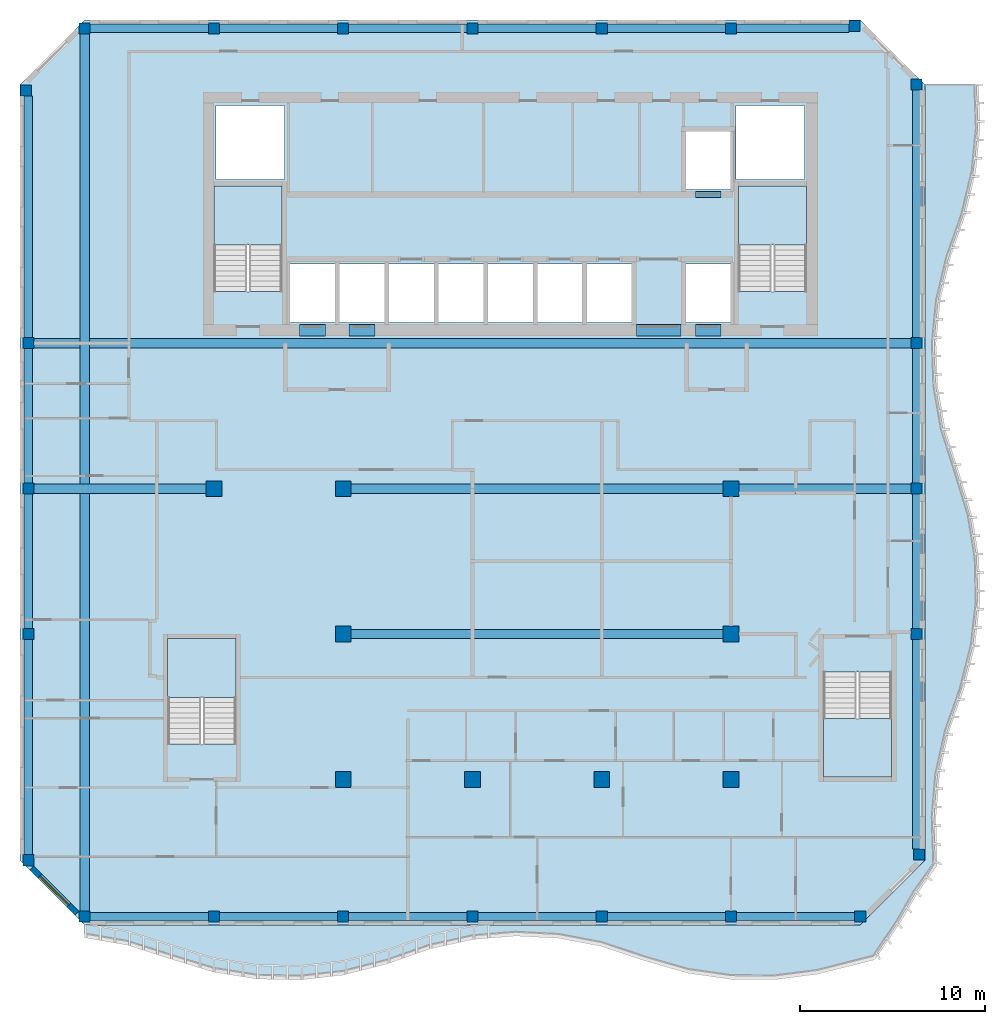
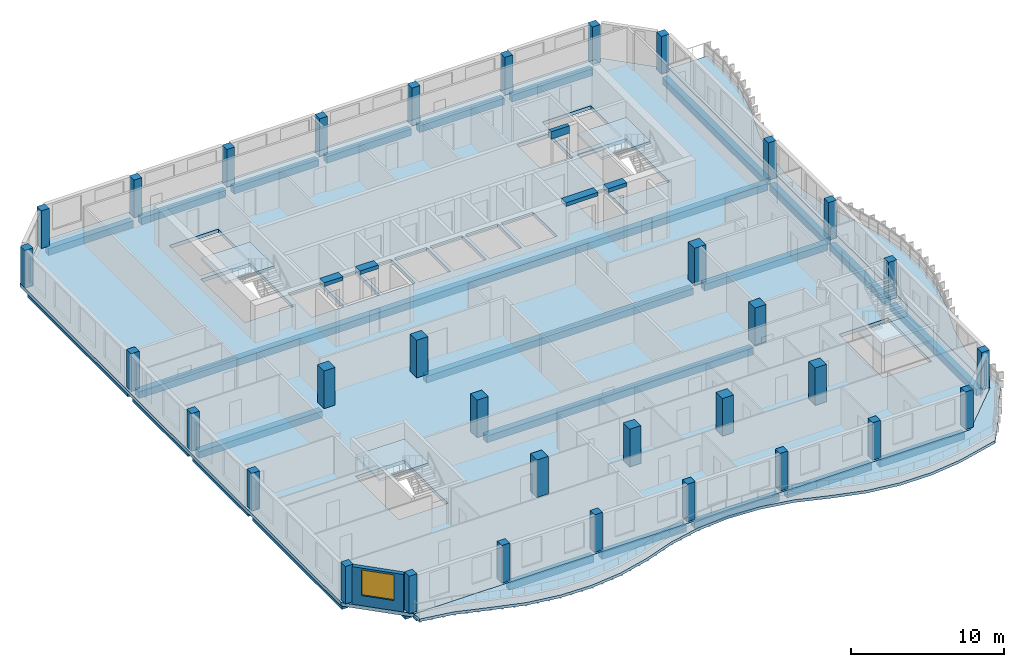
# One storey, part 1 of 14: 33 columns, 31 beams, 6 slabs, 1 wall, 1 window, 1 opening, 4 elements without a shape of their own.
"""IFC4 building model written with IfcOpenShell, lengths in metres."""

from ifc_helpers import new_model, si_unit, direction, frame, frame_2d, origin, origin_2d, place, context, subcontext, project, spatial, polyline, rectangle, outline, extrude, source, transform, mapped, material, layer, layer_set, material_profile, profile_set, type_object, element, fill, aggregate, save


model = new_model("IFC4")

# Units and contexts
model_context = context("Model", 3, precision=1e-05, world=origin(), true_north=direction((0.0, 1.0)))
body_context = subcontext(model_context, "Body", "Model", "MODEL_VIEW")
ifc_project = project(units=[si_unit("LENGTHUNIT", "METRE"), si_unit("AREAUNIT", "SQUARE_METRE"), si_unit("VOLUMEUNIT", "CUBIC_METRE"), si_unit("PLANEANGLEUNIT", "RADIAN"), si_unit("MASSUNIT", "GRAM", prefix="KILO")], contexts=[model_context])

# Site, building, storey
site_placement = place(None, origin())
site = spatial("IfcSite", under=ifc_project, at=site_placement, CompositionType="ELEMENT")
building_placement = place(site_placement, origin())
building = spatial("IfcBuilding", under=site, at=building_placement, Name="Kilnfold Tower and Market Hall", CompositionType="ELEMENT")
storey_placement = place(building_placement, frame((0.0, 0.0, 315.39990234375)))
storey = spatial("IfcBuildingStorey", under=building, at=storey_placement, Name="L79", CompositionType="ELEMENT", Elevation=315.39990234375)

# Columns
ifc_material_1 = material(Name="Concrete C60", Category="concrete")
ifc_material_profile_1 = material_profile(ifc_material_1, rectangle(XDim=0.60009765625, YDim=0.60009765625, at=origin_2d()), Name="RC 600x600")
ifc_profile_set_1 = profile_set([ifc_material_profile_1], Name="Concrete C60")
column_type_1 = type_object("IfcColumnType", Name="COLUMN 600X600 C60", PredefinedType="COLUMN", material=ifc_profile_set_1)
shared_shape_1 = source(origin(), body_context, "Body", "SweptSolid", [
    extrude(rectangle(XDim=0.60009765625, YDim=0.60009765625, at=origin_2d()), origin(), (0.0, 0.0, 1.0), 3.0),
])
for number, where, z_axis, x_axis, name in (
    (1, (-25.181884765625, 21.681884765625, 0.0), (0.0, 0.0, 1.0), (1.0, 0.0, 0.0), "Column C-B9-1G"),
    (2, (-25.050048828125, -20.0, 0.0), (0.0, 0.0, 1.0), (1.0, 0.0, 0.0), "Column C-B9-1B"),
    (3, (-25.050048828125, -7.75, 0.0), (0.0, 0.0, 1.0), (1.0, 0.0, 0.0), "Column C-B9-1D"),
    (4, (-25.050048828125, 0.125, 0.0), (0.0, 0.0, 1.0), (1.0, 0.0, 0.0), "Column C-B9-1E"),
    (5, (-25.050048828125, 8.0, 0.0), (0.0, 0.0, 1.0), (1.0, 0.0, 0.0), "Column C-B9-1F"),
    (6, (-22.0, -23.050048828125, 0.0), (0.0, 0.0, 1.0), (1.0, 0.0, 0.0), "Column C-B9-2A"),
    (7, (-22.0, 25.050048828125, 0.0), (0.0, 0.0, 1.0), (1.0, 0.0, 0.0), "Column C-B9-2H"),
    (8, (-15.0, -23.050048828125, 0.0), (0.0, 0.0, 1.0), (1.0, 0.0, 0.0), "Column C-B9-3A"),
    (9, (-15.0, 25.050048828125, 0.0), (0.0, 0.0, 1.0), (1.0, 0.0, 0.0), "Column C-B9-3H"),
    (10, (-8.0, -23.050048828125, 0.0), (0.0, 0.0, 1.0), (1.0, 0.0, 0.0), "Column C-B9-4A"),
    (11, (-8.0, 25.050048828125, 0.0), (0.0, 0.0, 1.0), (1.0, 0.0, 0.0), "Column C-B9-4H"),
    (12, (-1.0, -23.050048828125, 0.0), (0.0, 0.0, 1.0), (1.0, 0.0, 0.0), "Column C-B9-5A"),
    (13, (-1.0, 25.050048828125, 0.0), (0.0, 0.0, 1.0), (1.0, 0.0, 0.0), "Column C-B9-5H"),
    (14, (6.0, -23.050048828125, 0.0), (0.0, 0.0, 1.0), (1.0, 0.0, 0.0), "Column C-B9-6A"),
    (15, (6.0, 25.050048828125, 0.0), (0.0, 0.0, 1.0), (1.0, 0.0, 0.0), "Column C-B9-6H"),
    (16, (13.0, -23.050048828125, 0.0), (0.0, 0.0, 1.0), (1.0, 0.0, 0.0), "Column C-B9-7A"),
    (17, (13.0, 25.050048828125, 0.0), (0.0, 0.0, 1.0), (1.0, 0.0, 0.0), "Column C-B9-7H"),
    (18, (19.681884765625, 25.181884765625, 0.0), (0.0, 0.0, 1.0), (1.0, 0.0, 0.0), "Column C-B9-8H"),
    (19, (20.0, -23.050048828125, 0.0), (0.0, 0.0, 1.0), (1.0, 0.0, 0.0), "Column C-B9-8A"),
    (20, (23.050048828125, -7.75, 0.0), (0.0, 0.0, 1.0), (1.0, 0.0, 0.0), "Column C-B9-9D"),
    (21, (23.050048828125, 0.125, 0.0), (0.0, 0.0, 1.0), (1.0, 0.0, 0.0), "Column C-B9-9E"),
    (22, (23.050048828125, 8.0, 0.0), (0.0, 0.0, 1.0), (1.0, 0.0, 0.0), "Column C-B9-9F"),
    (23, (23.050048828125, 22.0, 0.0), (0.0, 0.0, 1.0), (1.0, 0.0, 0.0), "Column C-B9-9G"),
    (24, (23.181884765625, -19.681884765625, 0.0), (0.0, 0.0, 1.0), (1.0, 0.0, 0.0), "Column C-B9-9B"),
):
    element("IfcColumn", number, at=place(storey_placement, frame(where, z_axis=z_axis, x_axis=x_axis)), inside=storey, type_object=column_type_1, Name=name, PredefinedType="COLUMN", context=body_context, shape_type="MappedRepresentation", body=[
        mapped(shared_shape_1, transform((0.0, 0.0, 0.0))),
    ])
ifc_material_2 = material(Name="Concrete C60", Category="concrete")
ifc_material_profile_2 = material_profile(ifc_material_2, rectangle(XDim=0.85009765625, YDim=0.85009765625, at=origin_2d()), Name="RC 850x850")
ifc_profile_set_2 = profile_set([ifc_material_profile_2], Name="Concrete C60")
column_type_2 = type_object("IfcColumnType", Name="COLUMN 850X850 C60", PredefinedType="COLUMN", material=ifc_profile_set_2)
shared_shape_2 = source(origin(), body_context, "Body", "SweptSolid", [
    extrude(rectangle(XDim=0.85009765625, YDim=0.85009765625, at=origin_2d()), origin(), (0.0, 0.0, 1.0), 3.0),
])
for number, where, z_axis, x_axis, name in (
    (25, (-15.0, 0.125, 0.0), (0.0, 0.0, 1.0), (1.0, 0.0, 0.0), "Column C-B9-3E"),
    (26, (-8.0, -15.625, 0.0), (0.0, 0.0, 1.0), (1.0, 0.0, 0.0), "Column C-B9-4C"),
    (27, (-8.0, -7.75, 0.0), (0.0, 0.0, 1.0), (1.0, 0.0, 0.0), "Column C-B9-4D"),
    (28, (-8.0, 0.125, 0.0), (0.0, 0.0, 1.0), (1.0, 0.0, 0.0), "Column C-B9-4E"),
    (29, (-1.0, -15.625, 0.0), (0.0, 0.0, 1.0), (1.0, 0.0, 0.0), "Column C-B9-5C"),
    (30, (6.0, -15.625, 0.0), (0.0, 0.0, 1.0), (1.0, 0.0, 0.0), "Column C-B9-6C"),
    (31, (13.0, -15.625, 0.0), (0.0, 0.0, 1.0), (1.0, 0.0, 0.0), "Column C-B9-7C"),
    (32, (13.0, -7.75, 0.0), (0.0, 0.0, 1.0), (1.0, 0.0, 0.0), "Column C-B9-7D"),
    (33, (13.0, 0.125, 0.0), (0.0, 0.0, 1.0), (1.0, 0.0, 0.0), "Column C-B9-7E"),
):
    element("IfcColumn", number, at=place(storey_placement, frame(where, z_axis=z_axis, x_axis=x_axis)), inside=storey, type_object=column_type_2, Name=name, PredefinedType="COLUMN", context=body_context, shape_type="MappedRepresentation", body=[
        mapped(shared_shape_2, transform((0.0, 0.0, 0.0))),
    ])

# Beams
ifc_material_3 = material(Name="Concrete C50", Category="concrete")
ifc_material_profile_3 = material_profile(ifc_material_3, rectangle(XDim=0.60009765625, YDim=0.300048828125, at=origin_2d()), Name="RC 600x300")
ifc_profile_set_3 = profile_set([ifc_material_profile_3], Name="Concrete C50")
beam_type_1 = type_object("IfcBeamType", Name="COUPLING BEAM 600X300 C50", PredefinedType="BEAM", material=ifc_profile_set_3)
shared_shape_3 = source(origin(), body_context, "Body", "SweptSolid", [
    extrude(rectangle(XDim=0.60009765625, YDim=0.300048828125, at=origin_2d()), origin(), (0.0, 0.0, 1.0), 1.400146484375),
])
beam_1_placement = place(storey_placement, frame((-10.3701171875, 8.699951171875, 2.85009765625), z_axis=(1.0, 0.0, 0.0), x_axis=(0.0, 1.0, 0.0)))
element("IfcBeam", 34, at=beam_1_placement, inside=storey, type_object=beam_type_1, Name="Coupling beam CB300-50-CORE.30", PredefinedType="BEAM", context=body_context, shape_type="MappedRepresentation", body=[
    mapped(shared_shape_3, transform((0.0, 0.0, 0.0))),
])
shared_shape_4 = source(origin(), body_context, "Body", "SweptSolid", [
    extrude(rectangle(XDim=0.60009765625, YDim=0.300048828125, at=origin_2d()), origin(), (0.0, 0.0, 1.0), 1.39990234375),
])
for number, where, z_axis, x_axis, name in (
    (35, (-7.68994140625, 8.699951171875, 2.85009765625), (1.0, 0.0, 0.0), (0.0, 1.0, 0.0), "Coupling beam CB300-50-CORE.31"),
    (36, (11.070068359375, 8.699951171875, 2.85009765625), (1.0, 0.0, 0.0), (0.0, 1.0, 0.0), "Coupling beam CB300-50-CORE.33"),
):
    element("IfcBeam", number, at=place(storey_placement, frame(where, z_axis=z_axis, x_axis=x_axis)), inside=storey, type_object=beam_type_1, Name=name, PredefinedType="BEAM", context=body_context, shape_type="MappedRepresentation", body=[
        mapped(shared_shape_4, transform((0.0, 0.0, 0.0))),
    ])
shared_shape_5 = source(origin(), body_context, "Body", "SweptSolid", [
    extrude(rectangle(XDim=0.60009765625, YDim=0.300048828125, at=origin_2d()), origin(), (0.0, 0.0, 1.0), 2.400146484375),
])
beam_2_placement = place(storey_placement, frame((7.889892578125, 8.699951171875, 2.85009765625), z_axis=(1.0, 0.0, 0.0), x_axis=(0.0, 1.0, 0.0)))
element("IfcBeam", 37, at=beam_2_placement, inside=storey, type_object=beam_type_1, Name="Coupling beam CB300-50-CORE.32", PredefinedType="BEAM", context=body_context, shape_type="MappedRepresentation", body=[
    mapped(shared_shape_5, transform((0.0, 0.0, 0.0))),
])
ifc_material_4 = material(Name="Concrete C45", Category="concrete")
ifc_material_profile_4 = material_profile(ifc_material_4, rectangle(XDim=0.449951171875, YDim=0.550048828125, at=origin_2d()), Name="RC 450x550")
ifc_profile_set_4 = profile_set([ifc_material_profile_4], Name="Concrete C45")
beam_type_2 = type_object("IfcBeamType", Name="EDGE BEAM 450X550 C45", PredefinedType="BEAM", material=ifc_profile_set_4)
shared_shape_6 = source(origin(), body_context, "Body", "SweptSolid", [
    extrude(rectangle(XDim=0.449951171875, YDim=0.550048828125, at=origin_2d()), origin(), (0.0, 0.0, 1.0), 6.39990234375),
])
for number, where, z_axis, x_axis, name in (
    (38, (-21.699951171875, -23.050048828125, -0.554931640625), (1.0, 0.0, 0.0), (0.0, 1.0, 0.0), "Beam EB550-B9.38"),
    (39, (-14.699951171875, -23.050048828125, -0.554931640625), (1.0, 0.0, 0.0), (0.0, 1.0, 0.0), "Beam EB550-B9.39"),
    (40, (-7.699951171875, -23.050048828125, -0.554931640625), (1.0, 0.0, 0.0), (0.0, 1.0, 0.0), "Beam EB550-B9.40"),
    (41, (-0.699951171875, -23.050048828125, -0.554931640625), (1.0, 0.0, 0.0), (0.0, 1.0, 0.0), "Beam EB550-B9.41"),
    (42, (6.300048828125, -23.050048828125, -0.554931640625), (1.0, 0.0, 0.0), (0.0, 1.0, 0.0), "Beam EB550-B9.42"),
    (43, (13.300048828125, -23.050048828125, -0.554931640625), (1.0, 0.0, 0.0), (0.0, 1.0, 0.0), "Beam EB550-B9.43"),
    (44, (-21.699951171875, 25.050048828125, -0.554931640625), (1.0, 0.0, 0.0), (0.0, 1.0, 0.0), "Beam EB550-B9.49"),
    (45, (-14.699951171875, 25.050048828125, -0.554931640625), (1.0, 0.0, 0.0), (0.0, 1.0, 0.0), "Beam EB550-B9.50"),
    (46, (-7.699951171875, 25.050048828125, -0.554931640625), (1.0, 0.0, 0.0), (0.0, 1.0, 0.0), "Beam EB550-B9.51"),
    (47, (-0.699951171875, 25.050048828125, -0.554931640625), (1.0, 0.0, 0.0), (0.0, 1.0, 0.0), "Beam EB550-B9.52"),
    (48, (6.300048828125, 25.050048828125, -0.554931640625), (1.0, 0.0, 0.0), (0.0, 1.0, 0.0), "Beam EB550-B9.53"),
):
    element("IfcBeam", number, at=place(storey_placement, frame(where, z_axis=z_axis, x_axis=x_axis)), inside=storey, type_object=beam_type_2, Name=name, PredefinedType="BEAM", context=body_context, shape_type="MappedRepresentation", body=[
        mapped(shared_shape_6, transform((0.0, 0.0, 0.0))),
    ])
ifc_material_5 = material(Name="Concrete C45", Category="concrete")
ifc_material_profile_5 = material_profile(ifc_material_5, rectangle(XDim=0.5, YDim=0.550048828125, at=origin_2d()), Name="RC 500x550")
ifc_profile_set_5 = profile_set([ifc_material_profile_5], Name="Concrete C45")
beam_type_3 = type_object("IfcBeamType", Name="BEAM 500X550 C45", PredefinedType="BEAM", material=ifc_profile_set_5)
shared_shape_7 = source(origin(), body_context, "Body", "SweptSolid", [
    extrude(rectangle(XDim=0.5, YDim=0.550048828125, at=origin_2d()), origin(), (0.0, 0.0, 1.0), 20.14990234375),
])
for number, where, z_axis, x_axis, name in (
    (49, (-7.574951171875, -7.75, -0.554931640625), (1.0, 0.0, 0.0), (0.0, 1.0, 0.0), "Beam BB550-B9.44"),
    (50, (-7.574951171875, 0.1201171875, -0.554931640625), (1.0, 0.0, 0.0), (0.0, 1.0, 0.0), "Beam BB550-B9.46"),
):
    element("IfcBeam", number, at=place(storey_placement, frame(where, z_axis=z_axis, x_axis=x_axis)), inside=storey, type_object=beam_type_3, Name=name, PredefinedType="BEAM", context=body_context, shape_type="MappedRepresentation", body=[
        mapped(shared_shape_7, transform((0.0, 0.0, 0.0))),
    ])
shared_shape_8 = source(origin(), body_context, "Body", "SweptSolid", [
    extrude(rectangle(XDim=0.5, YDim=0.550048828125, at=origin_2d()), origin(), (0.0, 0.0, 1.0), 9.324951171875),
])
for number, where, z_axis, x_axis, name in (
    (51, (-24.75, 0.1201171875, -0.554931640625), (1.0, 0.0, 0.0), (0.0, 1.0, 0.0), "Beam BB550-B9.45"),
    (52, (13.425048828125, 0.1201171875, -0.554931640625), (1.0, 0.0, 0.0), (0.0, 1.0, 0.0), "Beam BB550-B9.47"),
):
    element("IfcBeam", number, at=place(storey_placement, frame(where, z_axis=z_axis, x_axis=x_axis)), inside=storey, type_object=beam_type_3, Name=name, PredefinedType="BEAM", context=body_context, shape_type="MappedRepresentation", body=[
        mapped(shared_shape_8, transform((0.0, 0.0, 0.0))),
    ])
shared_shape_9 = source(origin(), body_context, "Body", "SweptSolid", [
    extrude(rectangle(XDim=0.5, YDim=0.550048828125, at=origin_2d()), origin(), (0.0, 0.0, 1.0), 47.5),
])
for number, where, z_axis, x_axis, name in (
    (53, (-24.75, 8.0, -0.554931640625), (1.0, 0.0, 0.0), (0.0, 1.0, 0.0), "Beam BB550-B9.48"),
    (54, (-22.0, -22.75, -0.554931640625), (0.0, 1.0, 0.0), (-1.0, 0.0, 0.0), "Beam BB550-B9.59"),
):
    element("IfcBeam", number, at=place(storey_placement, frame(where, z_axis=z_axis, x_axis=x_axis)), inside=storey, type_object=beam_type_3, Name=name, PredefinedType="BEAM", context=body_context, shape_type="MappedRepresentation", body=[
        mapped(shared_shape_9, transform((0.0, 0.0, 0.0))),
    ])
shared_shape_10 = source(origin(), body_context, "Body", "SweptSolid", [
    extrude(rectangle(XDim=0.449951171875, YDim=0.550048828125, at=origin_2d()), origin(), (0.0, 0.0, 1.0), 6.081787109375),
])
beam_3_placement = place(storey_placement, frame((13.300048828125, 25.050048828125, -0.554931640625), z_axis=(1.0, 0.0, 0.0), x_axis=(0.0, 1.0, 0.0)))
element("IfcBeam", 55, at=beam_3_placement, inside=storey, type_object=beam_type_2, Name="Beam EB550-B9.54", PredefinedType="BEAM", context=body_context, shape_type="MappedRepresentation", body=[
    mapped(shared_shape_10, transform((0.0, 0.0, 0.0))),
])
shared_shape_11 = source(origin(), body_context, "Body", "SweptSolid", [
    extrude(rectangle(XDim=0.449951171875, YDim=0.550048828125, at=origin_2d()), origin(), (0.0, 0.0, 1.0), 11.64990234375),
])
beam_4_placement = place(storey_placement, frame((-25.050048828125, -19.699951171875, -0.554931640625), z_axis=(0.0, 1.0, 0.0), x_axis=(-1.0, 0.0, 0.0)))
element("IfcBeam", 56, at=beam_4_placement, inside=storey, type_object=beam_type_2, Name="Beam EB550-B9.55", PredefinedType="BEAM", context=body_context, shape_type="MappedRepresentation", body=[
    mapped(shared_shape_11, transform((0.0, 0.0, 0.0))),
])
shared_shape_12 = source(origin(), body_context, "Body", "SweptSolid", [
    extrude(rectangle(XDim=0.449951171875, YDim=0.550048828125, at=origin_2d()), origin(), (0.0, 0.0, 1.0), 7.27490234375),
])
for number, where, z_axis, x_axis, name in (
    (57, (-25.050048828125, -7.449951171875, -0.554931640625), (0.0, 1.0, 0.0), (-1.0, 0.0, 0.0), "Beam EB550-B9.56"),
    (58, (-25.050048828125, 0.425048828125, -0.554931640625), (0.0, 1.0, 0.0), (-1.0, 0.0, 0.0), "Beam EB550-B9.57"),
    (59, (23.050048828125, -7.449951171875, -0.554931640625), (0.0, 1.0, 0.0), (-1.0, 0.0, 0.0), "Beam EB550-B9.61"),
    (60, (23.050048828125, 0.425048828125, -0.554931640625), (0.0, 1.0, 0.0), (-1.0, 0.0, 0.0), "Beam EB550-B9.62"),
):
    element("IfcBeam", number, at=place(storey_placement, frame(where, z_axis=z_axis, x_axis=x_axis)), inside=storey, type_object=beam_type_2, Name=name, PredefinedType="BEAM", context=body_context, shape_type="MappedRepresentation", body=[
        mapped(shared_shape_12, transform((0.0, 0.0, 0.0))),
    ])
shared_shape_13 = source(origin(), body_context, "Body", "SweptSolid", [
    extrude(rectangle(XDim=0.449951171875, YDim=0.550048828125, at=origin_2d()), origin(), (0.0, 0.0, 1.0), 13.081787109375),
])
beam_5_placement = place(storey_placement, frame((-25.050048828125, 8.300048828125, -0.554931640625), z_axis=(0.0, 1.0, 0.0), x_axis=(-1.0, 0.0, 0.0)))
element("IfcBeam", 61, at=beam_5_placement, inside=storey, type_object=beam_type_2, Name="Beam EB550-B9.58", PredefinedType="BEAM", context=body_context, shape_type="MappedRepresentation", body=[
    mapped(shared_shape_13, transform((0.0, 0.0, 0.0))),
])
shared_shape_14 = source(origin(), body_context, "Body", "SweptSolid", [
    extrude(rectangle(XDim=0.449951171875, YDim=0.550048828125, at=origin_2d()), origin(), (0.0, 0.0, 1.0), 11.331787109375),
])
beam_6_placement = place(storey_placement, frame((23.050048828125, -19.3818359375, -0.554931640625), z_axis=(0.0, 1.0, 0.0), x_axis=(-1.0, 0.0, 0.0)))
element("IfcBeam", 62, at=beam_6_placement, inside=storey, type_object=beam_type_2, Name="Beam EB550-B9.60", PredefinedType="BEAM", context=body_context, shape_type="MappedRepresentation", body=[
    mapped(shared_shape_14, transform((0.0, 0.0, 0.0))),
])
shared_shape_15 = source(origin(), body_context, "Body", "SweptSolid", [
    extrude(rectangle(XDim=0.449951171875, YDim=0.550048828125, at=origin_2d()), origin(), (0.0, 0.0, 1.0), 13.39990234375),
])
beam_7_placement = place(storey_placement, frame((23.050048828125, 8.300048828125, -0.554931640625), z_axis=(0.0, 1.0, 0.0), x_axis=(-1.0, 0.0, 0.0)))
element("IfcBeam", 63, at=beam_7_placement, inside=storey, type_object=beam_type_2, Name="Beam EB550-B9.63", PredefinedType="BEAM", context=body_context, shape_type="MappedRepresentation", body=[
    mapped(shared_shape_15, transform((0.0, 0.0, 0.0))),
])
ifc_material_6 = material(Name="Concrete C50", Category="concrete")
ifc_material_profile_6 = material_profile(ifc_material_6, rectangle(XDim=0.300048828125, YDim=0.60009765625, at=origin_2d()), Name="RC 300x600")
ifc_profile_set_6 = profile_set([ifc_material_profile_6], Name="Concrete C50")
beam_type_4 = type_object("IfcBeamType", Name="COUPLING BEAM 300X600 C50", PredefinedType="BEAM", material=ifc_profile_set_6)
shared_shape_16 = source(origin(), body_context, "Body", "SweptSolid", [
    extrude(rectangle(XDim=0.300048828125, YDim=0.60009765625, at=origin_2d()), origin(), (0.0, 0.0, 1.0), 1.39990234375),
])
beam_8_placement = place(storey_placement, frame((11.070068359375, 16.050048828125, 2.7001953125), z_axis=(1.0, 0.0, 0.0), x_axis=(0.0, 1.0, 0.0)))
element("IfcBeam", 64, at=beam_8_placement, inside=storey, type_object=beam_type_4, Name="Lintel CB600-50-CORE.30", PredefinedType="BEAM", context=body_context, shape_type="MappedRepresentation", body=[
    mapped(shared_shape_16, transform((0.0, 0.0, 0.0))),
])

# Slabs
ifc_material_7 = material(Name="Concrete C45", Category="concrete")
ifc_layer_1 = layer(ifc_material_7, 0.280029296875)
ifc_layer_set_1 = layer_set([ifc_layer_1], Name="Concrete C45")
slab_type_1 = type_object("IfcSlabType", Name="FLOOR SLAB 280", PredefinedType="FLOOR", material=ifc_layer_set_1)
shared_shape_17 = source(origin(), body_context, "Body", "SweptSolid", [
    extrude(outline(polyline([(-22.0, -23.5), (20.0, -23.5), (23.5, -20.0), (23.5, 22.0), (20.0, 25.5), (-22.0, 25.5), (-25.5, 22.0), (-25.5, -20.0), (-22.0, -23.5)]), holes=[polyline([(-13.800537109375, -8.00048828125), (-13.800537109375, -13.699462890625), (-17.49951171875, -13.699462890625), (-17.49951171875, -8.00048828125), (-13.800537109375, -8.00048828125)]), polyline([(-11.300537109375, 10.800537109375), (-14.99951171875, 10.800537109375), (-14.99951171875, 16.49951171875), (-11.300537109375, 16.49951171875), (-11.300537109375, 10.800537109375)]), polyline([(-11.175048828125, 16.875), (-14.875, 16.875), (-14.875, 20.875), (-11.175048828125, 20.875), (-11.175048828125, 16.875)]), polyline([(-8.455078125, 9.125), (-10.885009765625, 9.125), (-10.885009765625, 12.27490234375), (-8.455078125, 12.27490234375), (-8.455078125, 9.125)]), polyline([(-5.77490234375, 9.125), (-8.205078125, 9.125), (-8.205078125, 12.27490234375), (-5.77490234375, 12.27490234375), (-5.77490234375, 9.125)]), polyline([(-3.094970703125, 9.125), (-5.52490234375, 9.125), (-5.52490234375, 12.27490234375), (-3.094970703125, 12.27490234375), (-3.094970703125, 9.125)]), polyline([(-0.4150390625, 9.125), (-2.844970703125, 9.125), (-2.844970703125, 12.27490234375), (-0.4150390625, 12.27490234375), (-0.4150390625, 9.125)]), polyline([(2.264892578125, 9.125), (-0.1650390625, 9.125), (-0.1650390625, 12.27490234375), (2.264892578125, 12.27490234375), (2.264892578125, 9.125)]), polyline([(4.945068359375, 9.125), (2.514892578125, 9.125), (2.514892578125, 12.27490234375), (4.945068359375, 12.27490234375), (4.945068359375, 9.125)]), polyline([(7.625, 9.125), (5.195068359375, 9.125), (5.195068359375, 12.27490234375), (7.625, 12.27490234375), (7.625, 9.125)]), polyline([(12.985107421875, 9.125), (10.554931640625, 9.125), (10.554931640625, 12.27490234375), (12.985107421875, 12.27490234375), (12.985107421875, 9.125)]), polyline([(12.985107421875, 16.324951171875), (10.554931640625, 16.324951171875), (10.554931640625, 19.47509765625), (12.985107421875, 19.47509765625), (12.985107421875, 16.324951171875)]), polyline([(16.97509765625, 16.875), (13.27490234375, 16.875), (13.27490234375, 20.875), (16.97509765625, 20.875), (16.97509765625, 16.875)]), polyline([(17.099609375, 10.800537109375), (13.400390625, 10.800537109375), (13.400390625, 16.49951171875), (17.099609375, 16.49951171875), (17.099609375, 10.800537109375)]), polyline([(18.00048828125, -9.800537109375), (21.699462890625, -9.800537109375), (21.699462890625, -15.49951171875), (18.00048828125, -15.49951171875), (18.00048828125, -9.800537109375)])]), origin(), (0.0, 0.0, 1.0), 0.280029296875),
])
slab_1_placement = place(storey_placement, frame((0.0, 0.0, -0.280029296875)))
element("IfcSlab", 65, at=slab_1_placement, inside=storey, type_object=slab_type_1, Name="Floor slab L79", PredefinedType="FLOOR", context=body_context, shape_type="MappedRepresentation", body=[
    mapped(shared_shape_17, transform((0.0, 0.0, 0.0))),
])
ifc_material_8 = material(Name="Concrete C40/50", Category="concrete")
ifc_layer_2 = layer(ifc_material_8, 0.219970703125)
ifc_layer_set_2 = layer_set([ifc_layer_2], Name="Concrete C40/50")
slab_type_2 = type_object("IfcSlabType", Name="BALCONY SLAB 220", PredefinedType="FLOOR", material=ifc_layer_set_2)
shared_shape_18 = source(origin(), body_context, "Body", "SweptSolid", [
    extrude(outline(polyline([(-22.0, -23.5), (20.0, -23.5), (23.5, -20.0), (23.5, 22.0), (26.4052734375, 22.0), (26.4921875, 19.666748046875), (26.26513671875, 17.333251953125), (25.71044921875, 15.0), (24.890869140625, 12.666748046875), (24.335693359375, 10.333251953125), (24.10791015625, 8.0), (24.1943359375, 5.666748046875), (24.60009765625, 3.333251953125), (25.347900390625, 1.0), (26.05859375, -1.333251953125), (26.4296875, -3.666748046875), (26.48291015625, -6.0), (26.22119140625, -8.333251953125), (25.629638671875, -10.666748046875), (24.814208984375, -13.0), (24.295654296875, -15.333251953125), (24.10205078125, -17.666748046875), (24.16748046875, -20.276611328125), (23.040771484375, -21.8740234375), (22.189208984375, -23.35595703125), (20.781982421875, -25.3876953125), (17.666748046875, -26.1728515625), (15.333251953125, -26.4697265625), (13.0, -26.450927734375), (10.666748046875, -26.115478515625), (8.333251953125, -25.444091796875), (6.0, -24.6650390625), (3.666748046875, -24.22314453125), (1.333251953125, -24.10205078125), (-1.0, -24.294921875), (-3.333251953125, -24.812744140625), (-5.666748046875, -25.62841796875), (-8.0, -26.220458984375), (-10.333251953125, -26.48291015625), (-12.666748046875, -26.43017578125), (-15.0, -26.059814453125), (-17.333251953125, -25.349609375), (-19.666748046875, -24.601318359375), (-22.0, -24.19482421875), (-22.0, -23.5)])), origin(), (0.0, 0.0, 1.0), 0.219970703125),
])
slab_2_placement = place(storey_placement, frame((0.0, 0.0, -0.219970703125)))
element("IfcSlab", 66, at=slab_2_placement, inside=storey, type_object=slab_type_2, Name="Balcony slab L79", PredefinedType="FLOOR", context=body_context, shape_type="MappedRepresentation", body=[
    mapped(shared_shape_18, transform((0.0, 0.0, 0.0))),
])

# Stair, slab
ifc_material_9 = material(Name="Concrete C40/50", Category="concrete")
stair_type = type_object("IfcStairType", Name="CORE STAIR 1800", PredefinedType="HALF_TURN_STAIR", material=ifc_material_9)
stair_1_placement = place(storey_placement, origin())
stair_1 = element("IfcStair", 67, at=stair_1_placement, inside=storey, type_object=stair_type, Name="L79 ST1", PredefinedType="HALF_TURN_STAIR")
ifc_material_10 = material(Name="Concrete C40/50", Category="concrete")
ifc_layer_3 = layer(ifc_material_10, 0.199951171875)
ifc_layer_set_3 = layer_set([ifc_layer_3], Name="Concrete C40/50")
slab_type_3 = type_object("IfcSlabType", Name="CORE STAIR LANDING 200", PredefinedType="LANDING", material=ifc_layer_set_3)
shared_shape_19 = source(origin(), body_context, "Body", "SweptSolid", [
    extrude(outline(polyline([(-11.300048828125, 13.320068359375), (-11.300048828125, 16.5), (-15.0, 16.5), (-15.0, 13.320068359375), (-11.300048828125, 13.320068359375)])), origin(), (0.0, 0.0, 1.0), 0.2001953125),
])
slab_3_placement = place(storey_placement, frame((0.0, 0.0, 1.5)))
slab_3 = element("IfcSlab", 68, at=slab_3_placement, type_object=slab_type_3, Name="ST1 landing 1", PredefinedType="LANDING", context=body_context, shape_type="MappedRepresentation", body=[
    mapped(shared_shape_19, transform((0.0, 0.0, 0.0))),
])
aggregate(stair_1, [slab_3])

stair_2_placement = place(storey_placement, origin())
stair_2 = element("IfcStair", 69, at=stair_2_placement, inside=storey, type_object=stair_type, Name="L79 ST2", PredefinedType="HALF_TURN_STAIR")
shared_shape_20 = source(origin(), body_context, "Body", "SweptSolid", [
    extrude(outline(polyline([(17.10009765625, 13.320068359375), (17.10009765625, 16.5), (13.39990234375, 16.5), (13.39990234375, 13.320068359375), (17.10009765625, 13.320068359375)])), origin(), (0.0, 0.0, 1.0), 0.2001953125),
])
slab_4_placement = place(storey_placement, frame((0.0, 0.0, 1.5)))
slab_4 = element("IfcSlab", 70, at=slab_4_placement, type_object=slab_type_3, Name="ST2 landing 1", PredefinedType="LANDING", context=body_context, shape_type="MappedRepresentation", body=[
    mapped(shared_shape_20, transform((0.0, 0.0, 0.0))),
])
aggregate(stair_2, [slab_4])

stair_3_placement = place(storey_placement, origin())
stair_3 = element("IfcStair", 71, at=stair_3_placement, inside=storey, type_object=stair_type, Name="L79 ST3", PredefinedType="HALF_TURN_STAIR")
shared_shape_21 = source(origin(), body_context, "Body", "SweptSolid", [
    extrude(outline(polyline([(-13.800048828125, -11.179931640625), (-13.800048828125, -8.0), (-17.5, -8.0), (-17.5, -11.179931640625), (-13.800048828125, -11.179931640625)])), origin(), (0.0, 0.0, 1.0), 0.2001953125),
])
slab_5_placement = place(storey_placement, frame((0.0, 0.0, 1.5)))
slab_5 = element("IfcSlab", 72, at=slab_5_placement, type_object=slab_type_3, Name="ST3 landing 1", PredefinedType="LANDING", context=body_context, shape_type="MappedRepresentation", body=[
    mapped(shared_shape_21, transform((0.0, 0.0, 0.0))),
])
aggregate(stair_3, [slab_5])

stair_4_placement = place(storey_placement, origin())
stair_4 = element("IfcStair", 73, at=stair_4_placement, inside=storey, type_object=stair_type, Name="L79 ST4", PredefinedType="HALF_TURN_STAIR")
shared_shape_22 = source(origin(), body_context, "Body", "SweptSolid", [
    extrude(outline(polyline([(18.0, -12.320068359375), (18.0, -15.5), (21.699951171875, -15.5), (21.699951171875, -12.320068359375), (18.0, -12.320068359375)])), origin(), (0.0, 0.0, 1.0), 0.2001953125),
])
slab_6_placement = place(storey_placement, frame((0.0, 0.0, 1.5)))
slab_6 = element("IfcSlab", 74, at=slab_6_placement, type_object=slab_type_3, Name="ST4 landing 1", PredefinedType="LANDING", context=body_context, shape_type="MappedRepresentation", body=[
    mapped(shared_shape_22, transform((0.0, 0.0, 0.0))),
])
aggregate(stair_4, [slab_6])

# Wall, opening, window
ifc_material_11 = material(Name="Precast concrete C50/60", Category="concrete")
ifc_layer_4 = layer(ifc_material_11, 0.300048828125)
ifc_layer_set_4 = layer_set([ifc_layer_4], Name="Precast concrete C50/60")
wall_type = type_object("IfcWallType", Name="PRECAST WALL 300", PredefinedType="SOLIDWALL", material=ifc_layer_set_4)
shared_shape_23 = source(origin(), body_context, "Body", "SweptSolid", [
    extrude(rectangle(XDim=3.46484375, YDim=0.300048828125, at=frame_2d((1.732421875, 0.0))), origin(), (0.0, 0.0, 1.0), 3.0),
])
wall_placement = place(storey_placement, frame((-24.868896484375, -20.4189453125, 0.0), z_axis=(0.0, 0.0, 1.0), x_axis=(0.707106781187, -0.707106781187, 0.0)))
wall = element("IfcWall", 75, at=wall_placement, inside=storey, type_object=wall_type, Name="External wall L79 SW", PredefinedType="SOLIDWALL", context=body_context, shape_type="MappedRepresentation", body=[
    mapped(shared_shape_23, transform((0.0, 0.0, 0.0))),
])
opening_placement = place(wall_placement, frame((0.63232421875, 0.0, 0.800048828125)))
opening = element("IfcOpeningElement", 76, at=opening_placement, cuts=wall, Name="Opening W3", PredefinedType="OPENING", context=body_context, shape_type="SweptSolid", body=[
    extrude(rectangle(XDim=2.199951171875, YDim=2.050048828125, at=frame_2d((1.10009765625, 1.02490234375))), frame((0.0, 0.16015625, 0.0), z_axis=(0.0, -1.0, 0.0), x_axis=(1.0, 0.0, 0.0)), (0.0, 0.0, 1.0), 0.320068359375),
])
ifc_material_12 = material(Name="Aluminium frame and double glazing", Category="aluminium")
window_type = type_object("IfcWindowType", Name="WINDOW W3 2200X2050", PartitioningType="SINGLE_PANEL", PredefinedType="WINDOW", material=ifc_material_12)
window_placement = place(opening_placement, origin())
window = element("IfcWindow", 77, at=window_placement, inside=storey, type_object=window_type, Name="Window W3 L79 SW-1", OverallHeight=2.050048828125, OverallWidth=2.199951171875, PartitioningType="SINGLE_PANEL", PredefinedType="WINDOW", context=body_context, shape_type="SweptSolid", body=[
    extrude(rectangle(XDim=2.199951171875, YDim=2.050048828125, at=frame_2d((1.10009765625, 1.02490234375))), frame((0.0, 0.030029296875, 0.0), z_axis=(0.0, -1.0, 0.0), x_axis=(1.0, 0.0, 0.0)), (0.0, 0.0, 1.0), 0.06005859375),
])
fill(opening, window)

save(model, "model.ifc")
